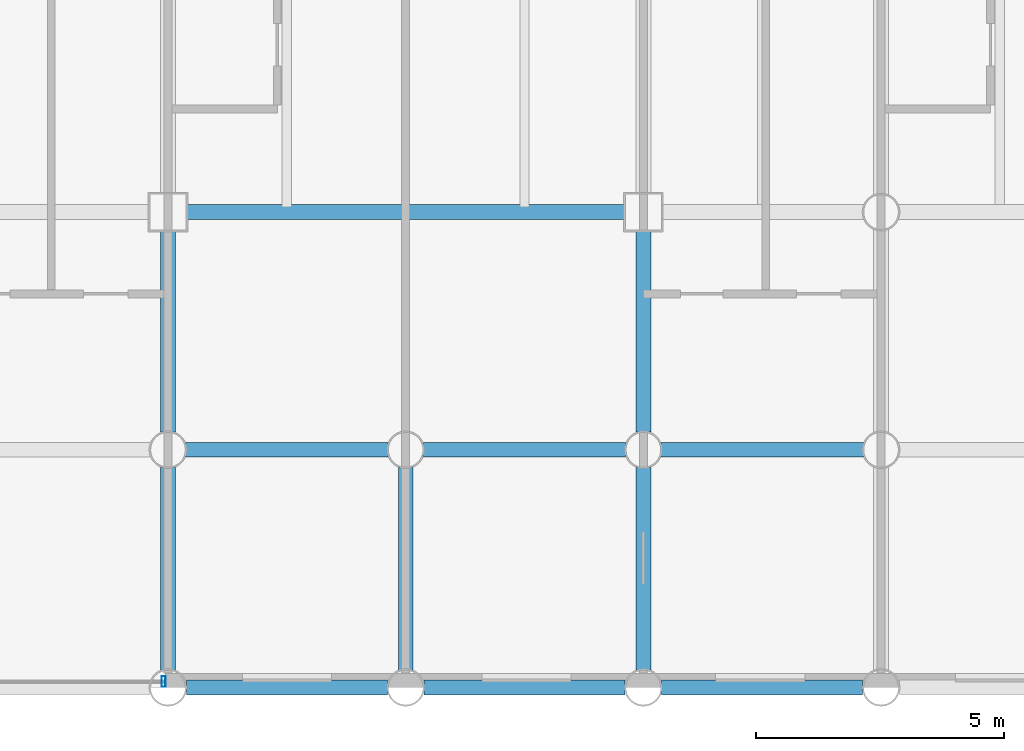
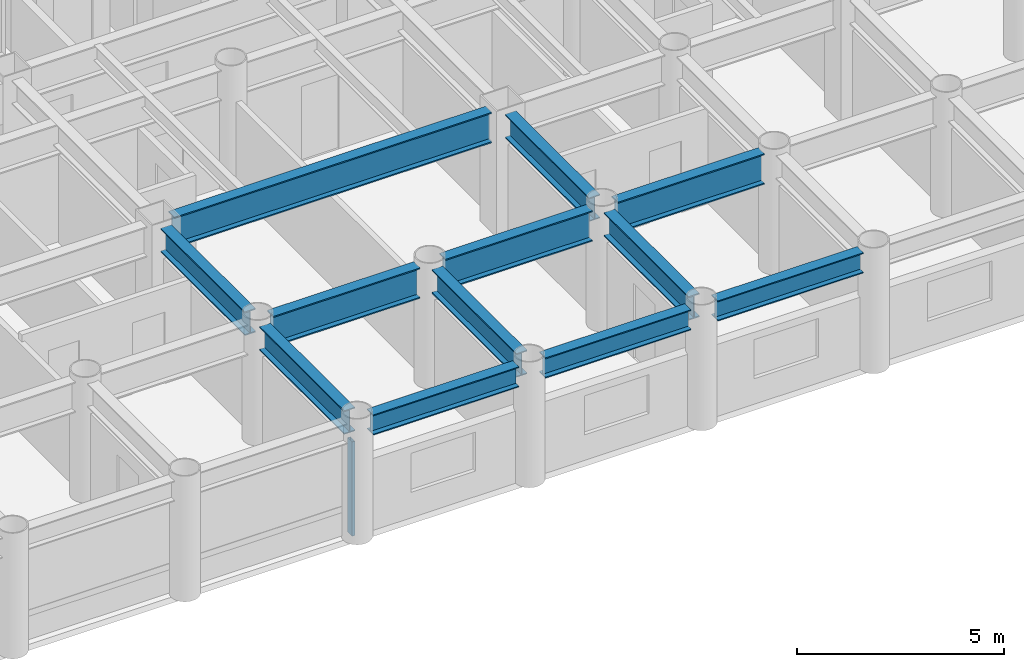
# One storey, part 6 of 20: 12 beams, 1 member, 1 element without a shape of its own.
"""IFC4 building model written with IfcOpenShell, lengths in metres."""

import ifcopenshell
import ifcopenshell.guid

model = None  # the IFC model being written
_history = None  # IfcOwnerHistory: only IFC2X3 demands one
_inside = {}  # id of a spatial element -> (the spatial element, [elements in it])
_under = {}  # id of a project, library or spatial element -> (it, [spatial elements below it])
_declared = {}  # id of a project -> (the project, [libraries it declares])
_typed = {}  # id of a type object -> (the type object, [elements of that type])
_made_of = {}  # id of a material, layer set ... -> (it, [elements and type objects made of it])


def new_model(schema):
    """Start an empty IFC model of exactly this schema.

    Asked for "IFC4X3", IfcOpenShell would pick the latest addendum, in which some entities
    have other attributes; the version numbers below select the first issue.
    IFC2X3 requires an IfcOwnerHistory on every rooted entity: one is made here for all.
    """
    global model, _history
    if schema == "IFC4X3":
        model = ifcopenshell.file(schema_version=(4, 3, 0, 0))
    else:
        model = ifcopenshell.file(schema=schema)
    _inside.clear()
    _under.clear()
    _declared.clear()
    _typed.clear()
    _made_of.clear()
    _history = None
    if model.schema == "IFC2X3":
        org = make("IfcOrganization", Name="unknown")
        user = make(
            "IfcPersonAndOrganization",
            ThePerson=make("IfcPerson", FamilyName="unknown"),
            TheOrganization=org,
        )
        app = make(
            "IfcApplication",
            ApplicationDeveloper=org,
            Version="unknown",
            ApplicationFullName="unknown",
            ApplicationIdentifier="unknown",
        )
        _history = make(
            "IfcOwnerHistory",
            OwningUser=user,
            OwningApplication=app,
            ChangeAction="ADDED",
            CreationDate=0,
        )
    return model


def make(cls, **values):
    """One entity of the class cls with the attributes given. An attribute that is None is left unset."""
    return model.create_entity(
        cls, **{name: value for name, value in values.items() if value is not None}
    )


def rooted(cls, **values):
    """An entity with a GlobalId (a new one), such as an element, a storey or a relation."""
    return make(cls, GlobalId=ifcopenshell.guid.new(), OwnerHistory=_history, **values)


def si_unit(unit_type, name, prefix=None):
    """IfcSIUnit, for example si_unit("LENGTHUNIT", "METRE", prefix="MILLI")."""
    return make("IfcSIUnit", UnitType=unit_type, Prefix=prefix, Name=name)


def assignment(units):
    """IfcUnitAssignment: the units of a project."""
    return None if units is None else make("IfcUnitAssignment", Units=units)


def point(xyz):
    """IfcCartesianPoint."""
    return None if xyz is None else make("IfcCartesianPoint", Coordinates=xyz)


def direction(xyz):
    """IfcDirection."""
    return None if xyz is None else make("IfcDirection", DirectionRatios=xyz)


def frame(location, z_axis=None, x_axis=None):
    """IfcAxis2Placement3D, a coordinate frame: its origin and axes. An axis left out is left unset."""
    return make(
        "IfcAxis2Placement3D",
        Location=point(location),
        Axis=direction(z_axis),
        RefDirection=direction(x_axis),
    )


def frame_2d(location, x_axis=None):
    """IfcAxis2Placement2D, a coordinate frame in the plane: its origin and x axis."""
    return make(
        "IfcAxis2Placement2D", Location=point(location), RefDirection=direction(x_axis)
    )


def origin():
    """The frame at (0, 0, 0) with its axes left unset."""
    return frame((0.0, 0.0, 0.0))


def origin_2d():
    """The frame at (0, 0) in the plane with its x axis left unset."""
    return frame_2d((0.0, 0.0))


def place(relative_to, where):
    """IfcLocalPlacement: puts the frame where relative to a parent placement (None: the world)."""
    return make(
        "IfcLocalPlacement", PlacementRelTo=relative_to, RelativePlacement=where
    )


def context(
    kind, dimensions, precision=None, world=None, true_north=None, identifier=None
):
    """IfcGeometricRepresentationContext, for example the 3D "Model" context."""
    return make(
        "IfcGeometricRepresentationContext",
        ContextIdentifier=identifier,
        ContextType=kind,
        CoordinateSpaceDimension=dimensions,
        Precision=precision,
        WorldCoordinateSystem=world,
        TrueNorth=true_north,
    )


def subcontext(parent, identifier, kind, view, scale=None):
    """IfcGeometricRepresentationSubContext, for example "Body" below "Model"."""
    return make(
        "IfcGeometricRepresentationSubContext",
        ContextIdentifier=identifier,
        ContextType=kind,
        ParentContext=parent,
        TargetScale=scale,
        TargetView=view,
    )


def project(units=None, contexts=None):
    """IfcProject with its units and contexts."""
    return rooted(
        "IfcProject",
        Name="project",
        RepresentationContexts=contexts,
        UnitsInContext=assignment(units),
    )


def spatial(cls, under=None, at=None, **own):
    """A site, building, storey or space (cls), placed at a placement, below another one or the project."""
    s = rooted(cls, ObjectPlacement=at, **own)
    if under is not None:
        _under.setdefault(under.id(), (under, []))[1].append(s)
    return s


def profile(cls, at=None, kind="AREA", **sizes):
    """A parametric profile (cls). Its sizes go by their IFC names, for example OverallWidth=200.0."""
    return make(cls, ProfileType=kind, Position=at, **sizes)


def hollow_rectangle(**sizes):
    """IfcRectangleHollowProfileDef."""
    return profile("IfcRectangleHollowProfileDef", **sizes)


def i_section(**sizes):
    """IfcIShapeProfileDef."""
    return profile("IfcIShapeProfileDef", **sizes)


def extrude(swept, where, along, depth):
    """IfcExtrudedAreaSolid: the profile swept, set in the frame where, extruded along a direction by depth."""
    return make(
        "IfcExtrudedAreaSolid",
        SweptArea=swept,
        Position=where,
        ExtrudedDirection=direction(along),
        Depth=depth,
    )


def shape(context_of_items, identifier, shape_type, items):
    """IfcShapeRepresentation: the items that make up one representation, for example the "Body"."""
    return make(
        "IfcShapeRepresentation",
        ContextOfItems=context_of_items,
        RepresentationIdentifier=identifier,
        RepresentationType=shape_type,
        Items=items,
    )


def material(Name=None, Category=None):
    """IfcMaterial."""
    return make("IfcMaterial", Name=Name, Category=Category)


def layer(
    of_material, thickness, ventilated=None, Name=None, Category=None, Priority=None
):
    """IfcMaterialLayer: one layer of a wall or slab, of a material (None: an air gap)."""
    return make(
        "IfcMaterialLayer",
        Material=of_material,
        LayerThickness=thickness,
        IsVentilated=ventilated,
        Name=Name,
        Category=Category,
        Priority=Priority,
    )


def layer_set(layers, Name=None):
    """IfcMaterialLayerSet."""
    return make("IfcMaterialLayerSet", MaterialLayers=layers, LayerSetName=Name)


def material_profile(
    of_material, cross_section, Name=None, Category=None, Priority=None
):
    """IfcMaterialProfile: a cross section and its material."""
    return make(
        "IfcMaterialProfile",
        Name=Name,
        Material=of_material,
        Profile=cross_section,
        Priority=Priority,
        Category=Category,
    )


def profile_set(profiles, Name=None, composite=None):
    """IfcMaterialProfileSet."""
    return make(
        "IfcMaterialProfileSet",
        Name=Name,
        MaterialProfiles=profiles,
        CompositeProfile=composite,
    )


def made_of(thing, what):
    """Note that an element or type object is made of a material, layer set ...; save() writes the relation."""
    if what is not None:
        _made_of.setdefault(what.id(), (what, []))[1].append(thing)
    return thing


def type_object(cls, material=None, **own):
    """A type object (cls), such as IfcWallType, which elements share."""
    return made_of(rooted(cls, **own), material)


def element(
    cls,
    number,
    at=None,
    inside=None,
    cuts=None,
    type_object=None,
    material=None,
    context=None,
    identifier="Body",
    shape_type=None,
    held_by="IfcProductDefinitionShape",
    body=None,
    shapes=None,
    **own,
):
    """One element of the class cls, such as IfcWall. Its Tag is "e" and its number.

    at: its placement. inside: the storey or other place that contains it. cuts: it is an
    opening in that element (IfcRelVoidsElement). A single representation is given by context,
    identifier, shape_type and body (its items); several are given by shapes. held_by: the class
    of the entity that holds the representations. save() writes the other relations.
    """
    e = rooted(cls, Tag="e%d" % number, ObjectPlacement=at, **own)
    if body is not None:
        shapes = [shape(context, identifier, shape_type, body)]
    if shapes is not None:
        e.Representation = make(held_by, Representations=shapes)
    if inside is not None:
        _inside.setdefault(inside.id(), (inside, []))[1].append(e)
    if cuts is not None:
        rooted(
            "IfcRelVoidsElement", RelatingBuildingElement=cuts, RelatedOpeningElement=e
        )
    if type_object is not None:
        _typed.setdefault(type_object.id(), (type_object, []))[1].append(e)
    return made_of(e, material)


def aggregate(whole, parts):
    """IfcRelAggregates: a whole, such as a stair, and the parts it consists of."""
    return rooted("IfcRelAggregates", RelatingObject=whole, RelatedObjects=parts)


def save(model, path):
    """Write the relations noted so far, then the file.

    IfcRelAggregates (storeys below a building ...), IfcRelContainedInSpatialStructure (elements
    in a storey), IfcRelDefinesByType, IfcRelAssociatesMaterial and IfcRelDeclares: one each for
    every whole, place, type object, material and project.
    """
    for whole, parts in _under.values():
        aggregate(whole, parts)
    for where, things in _inside.values():
        rooted(
            "IfcRelContainedInSpatialStructure",
            RelatedElements=things,
            RelatingStructure=where,
        )
    for kind, things in _typed.values():
        rooted("IfcRelDefinesByType", RelatedObjects=things, RelatingType=kind)
    for what, things in _made_of.values():
        rooted("IfcRelAssociatesMaterial", RelatedObjects=things, RelatingMaterial=what)
    for by, libraries in _declared.values():
        rooted("IfcRelDeclares", RelatingContext=by, RelatedDefinitions=libraries)
    model.write(path)


model = new_model("IFC4")

# Units and contexts
model_context = context("Model", 3, precision=1e-05, world=origin(), true_north=direction((0.0, 1.0)))
body_context = subcontext(model_context, "Body", "Model", "MODEL_VIEW")
ifc_project = project(units=[si_unit("LENGTHUNIT", "METRE"), si_unit("AREAUNIT", "SQUARE_METRE"), si_unit("VOLUMEUNIT", "CUBIC_METRE"), si_unit("PLANEANGLEUNIT", "RADIAN"), si_unit("MASSUNIT", "GRAM", prefix="KILO")], contexts=[model_context])

# Site, building, storey
site_placement = place(None, origin())
site = spatial("IfcSite", under=ifc_project, at=site_placement, CompositionType="ELEMENT")
building_placement = place(site_placement, origin())
building = spatial("IfcBuilding", under=site, at=building_placement, Name="Kallvorn Hotel Tower", CompositionType="ELEMENT")
storey_placement = place(building_placement, frame((0.0, 0.0, 74.39990234375)))
storey = spatial("IfcBuildingStorey", under=building, at=storey_placement, Name="L17", CompositionType="ELEMENT", Elevation=74.39990234375)

# Beams
ifc_material_1 = material(Name="Structural steel S355JR", Category="steel")
ifc_material_profile_1 = material_profile(ifc_material_1, i_section(OverallWidth=0.300048828125, OverallDepth=0.60009765625, WebThickness=0.015380859375, FlangeThickness=0.030029296875, at=origin_2d()), Name="HE 600 B")
ifc_profile_set_1 = profile_set([ifc_material_profile_1], Name="Structural steel S355JR")
beam_type_1 = type_object("IfcBeamType", Name="BM_HE600B", PredefinedType="SPANDREL", material=ifc_profile_set_1)
for number, where, z_axis, x_axis, name in (
    (1, (5.1708984375, -24.0, 3.22021484375), (1.0, 0.0, 0.0), (0.0, 1.0, 0.0), "L18 Perimeter Spandrel 157"),
    (2, (9.970947265625, -24.0, 3.22021484375), (1.0, 0.0, 0.0), (0.0, 1.0, 0.0), "L18 Perimeter Spandrel 158"),
    (3, (14.77099609375, -24.0, 3.22021484375), (1.0, 0.0, 0.0), (0.0, 1.0, 0.0), "L18 Perimeter Spandrel 159"),
):
    element("IfcBeam", number, at=place(storey_placement, frame(where, z_axis=z_axis, x_axis=x_axis)), inside=storey, type_object=beam_type_1, Name=name, PredefinedType="SPANDREL", context=body_context, shape_type="SweptSolid", body=[
        extrude(i_section(OverallWidth=0.300048828125, OverallDepth=0.60009765625, WebThickness=0.015380859375, FlangeThickness=0.030029296875, at=origin_2d()), origin(), (0.0, 0.0, 1.0), 4.05810546875),
    ])
ifc_material_2 = material(Name="Structural steel S355JR", Category="steel")
ifc_material_profile_2 = material_profile(ifc_material_2, i_section(OverallWidth=0.300048828125, OverallDepth=0.699951171875, WebThickness=0.01708984375, FlangeThickness=0.031982421875, at=origin_2d()), Name="HE 700 B")
ifc_profile_set_2 = profile_set([ifc_material_profile_2], Name="Structural steel S355JR")
beam_type_2 = type_object("IfcBeamType", Name="BM_HE700B", PredefinedType="BEAM", material=ifc_profile_set_2)
beam_1_placement = place(storey_placement, frame((4.800048828125, -23.64404296875, 3.170166015625), z_axis=(0.0, 1.0, 0.0), x_axis=(-1.0, 0.0, 0.0)))
element("IfcBeam", 4, at=beam_1_placement, inside=storey, type_object=beam_type_2, Name="L18 Primary Y-Girder 113", PredefinedType="BEAM", context=body_context, shape_type="SweptSolid", body=[
    extrude(i_section(OverallWidth=0.300048828125, OverallDepth=0.699951171875, WebThickness=0.01708984375, FlangeThickness=0.031982421875, at=origin_2d()), origin(), (0.0, 0.0, 1.0), 4.088134765625),
])
beam_2_placement = place(storey_placement, frame((4.800048828125, -18.843994140625, 3.170166015625), z_axis=(0.0, 1.0, 0.0), x_axis=(-1.0, 0.0, 0.0)))
element("IfcBeam", 5, at=beam_2_placement, inside=storey, type_object=beam_type_2, Name="L18 Primary Y-Girder 114", PredefinedType="BEAM", context=body_context, shape_type="SweptSolid", body=[
    extrude(i_section(OverallWidth=0.300048828125, OverallDepth=0.699951171875, WebThickness=0.01708984375, FlangeThickness=0.031982421875, at=origin_2d()), origin(), (0.0, 0.0, 1.0), 4.069091796875),
])
for number, where, z_axis, x_axis, name in (
    (6, (9.60009765625, -23.64404296875, 3.170166015625), (0.0, 1.0, 0.0), (-1.0, 0.0, 0.0), "L18 Primary Y-Girder 118"),
    (7, (14.39990234375, -23.64404296875, 3.170166015625), (0.0, 1.0, 0.0), (-1.0, 0.0, 0.0), "L18 Primary Y-Girder 121"),
):
    element("IfcBeam", number, at=place(storey_placement, frame(where, z_axis=z_axis, x_axis=x_axis)), inside=storey, type_object=beam_type_2, Name=name, PredefinedType="BEAM", context=body_context, shape_type="SweptSolid", body=[
        extrude(i_section(OverallWidth=0.300048828125, OverallDepth=0.699951171875, WebThickness=0.01708984375, FlangeThickness=0.031982421875, at=origin_2d()), origin(), (0.0, 0.0, 1.0), 4.088134765625),
    ])
beam_3_placement = place(storey_placement, frame((14.39990234375, -18.843994140625, 3.170166015625), z_axis=(0.0, 1.0, 0.0), x_axis=(-1.0, 0.0, 0.0)))
element("IfcBeam", 8, at=beam_3_placement, inside=storey, type_object=beam_type_2, Name="L18 Primary Y-Girder 122", PredefinedType="BEAM", context=body_context, shape_type="SweptSolid", body=[
    extrude(i_section(OverallWidth=0.300048828125, OverallDepth=0.699951171875, WebThickness=0.01708984375, FlangeThickness=0.031982421875, at=origin_2d()), origin(), (0.0, 0.0, 1.0), 4.069091796875),
])
ifc_material_3 = material(Name="Structural steel S355JR", Category="steel")
ifc_material_profile_3 = material_profile(ifc_material_3, i_section(OverallWidth=0.300048828125, OverallDepth=0.89990234375, WebThickness=0.0185546875, FlangeThickness=0.034912109375, at=origin_2d()), Name="HE 900 B")
ifc_profile_set_3 = profile_set([ifc_material_profile_3], Name="Structural steel S355JR")
beam_type_3 = type_object("IfcBeamType", Name="BM_HE900B", PredefinedType="BEAM", material=ifc_profile_set_3)
for number, where, z_axis, x_axis, name in (
    (9, (5.156005859375, -19.199951171875, 3.070068359375), (1.0, 0.0, 0.0), (0.0, 1.0, 0.0), "L18 Primary X-Girder 08"),
    (10, (9.9560546875, -19.199951171875, 3.070068359375), (1.0, 0.0, 0.0), (0.0, 1.0, 0.0), "L18 Primary X-Girder 09"),
    (11, (14.756103515625, -19.199951171875, 3.070068359375), (1.0, 0.0, 0.0), (0.0, 1.0, 0.0), "L18 Primary X-Girder 10"),
):
    element("IfcBeam", number, at=place(storey_placement, frame(where, z_axis=z_axis, x_axis=x_axis)), inside=storey, type_object=beam_type_3, Name=name, PredefinedType="BEAM", context=body_context, shape_type="SweptSolid", body=[
        extrude(i_section(OverallWidth=0.300048828125, OverallDepth=0.89990234375, WebThickness=0.0185546875, FlangeThickness=0.034912109375, at=origin_2d()), origin(), (0.0, 0.0, 1.0), 4.087890625),
    ])
beam_4_placement = place(storey_placement, frame((5.175048828125, -14.39990234375, 3.070068359375), z_axis=(1.0, 0.0, 0.0), x_axis=(0.0, 1.0, 0.0)))
element("IfcBeam", 12, at=beam_4_placement, inside=storey, type_object=beam_type_3, Name="L18 Primary X-Girder 19", PredefinedType="BEAM", context=body_context, shape_type="SweptSolid", body=[
    extrude(i_section(OverallWidth=0.300048828125, OverallDepth=0.89990234375, WebThickness=0.0185546875, FlangeThickness=0.034912109375, at=origin_2d()), origin(), (0.0, 0.0, 1.0), 8.849853515625),
])

# Curtain wall, member
ifc_material_4 = material(Name="Thermally broken black-anodised aluminium AA 6063-T6", Category="aluminium")
ifc_layer = layer(ifc_material_4, 0.199951171875)
ifc_layer_set = layer_set([ifc_layer], Name="CW_SYS_3_HOTEL_LOW")
curtain_wall_type = type_object("IfcCurtainWallType", Name="CW_SYS_3_HOTEL_LOW", PredefinedType="USERDEFINED", material=ifc_layer_set)
curtain_wall_placement = place(storey_placement, origin())
curtain_wall = element("IfcCurtainWall", 13, at=curtain_wall_placement, inside=storey, type_object=curtain_wall_type, Name="L17 Dark-Glass Curtain Wall CW-L17-SC", ObjectType="UNITISED CURTAIN WALL", PredefinedType="USERDEFINED")
ifc_material_5 = material(Name="Thermally broken black-anodised aluminium AA 6063-T6", Category="aluminium")
ifc_material_profile_4 = material_profile(ifc_material_5, hollow_rectangle(XDim=0.080078125, YDim=0.219970703125, WallThickness=0.0048828125, at=origin_2d()), Name="MUL 220x80")
ifc_profile_set_4 = profile_set([ifc_material_profile_4], Name="Thermally broken black-anodised aluminium AA 6063-T6")
member_type = type_object("IfcMemberType", Name="CW_MULLION_220x80", PredefinedType="MULLION", material=ifc_profile_set_4)
member_placement = place(storey_placement, frame((4.7099609375, -23.8798828125, 0.02001953125), z_axis=(0.0, 0.0, 1.0), x_axis=(1.0, 0.0, 0.0)))
member = element("IfcMember", 14, at=member_placement, type_object=member_type, Name="CW-L17-SC Mullion 02", PredefinedType="MULLION", context=body_context, shape_type="SweptSolid", body=[
    extrude(hollow_rectangle(XDim=0.080078125, YDim=0.219970703125, WallThickness=0.0048828125, at=origin_2d()), origin(), (0.0, 0.0, 1.0), 2.780029296875),
])
aggregate(curtain_wall, [member])

save(model, "model.ifc")
